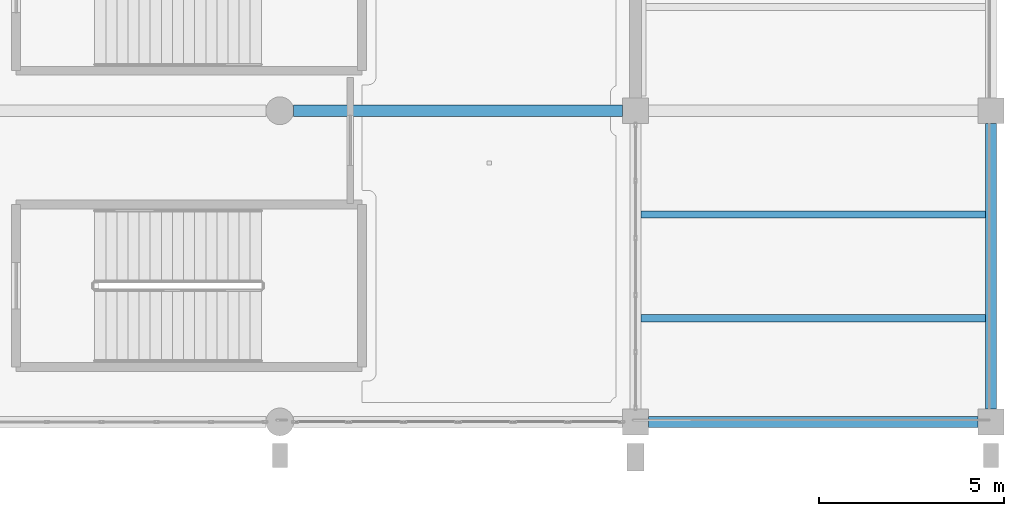
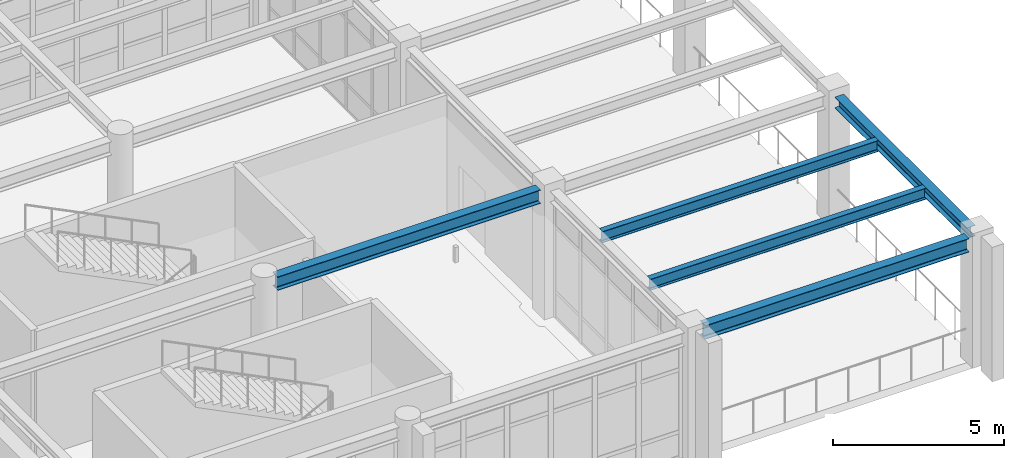
# One storey, part 58 of 98: 5 beams.
"""IFC4 building model written with IfcOpenShell, lengths in metres."""

from ifc_helpers import new_model, si_unit, direction, frame, origin, origin_2d, place, context, subcontext, project, spatial, i_section, extrude, material, material_profile, profile_set, type_object, element, save


model = new_model("IFC4")

# Units and contexts
model_context = context("Model", 3, precision=1e-05, world=origin(), true_north=direction((0.0, 1.0)))
body_context = subcontext(model_context, "Body", "Model", "MODEL_VIEW")
ifc_project = project(units=[si_unit("LENGTHUNIT", "METRE"), si_unit("AREAUNIT", "SQUARE_METRE"), si_unit("VOLUMEUNIT", "CUBIC_METRE"), si_unit("PLANEANGLEUNIT", "RADIAN"), si_unit("MASSUNIT", "GRAM", prefix="KILO")], contexts=[model_context])

# Site, building, storey
site_placement = place(None, origin())
site = spatial("IfcSite", under=ifc_project, at=site_placement, CompositionType="ELEMENT")
building_placement = place(site_placement, origin())
building = spatial("IfcBuilding", under=site, at=building_placement, Name="Canglan Escarpment Cableway Terminal", CompositionType="ELEMENT")
storey_placement = place(building_placement, frame((0.0, 0.0, 9.60009765625)))
storey = spatial("IfcBuildingStorey", under=building, at=storey_placement, Name="L02", CompositionType="ELEMENT", Elevation=9.60009765625)

# Beams
ifc_material = material(Name="Steel Q355B", Category="steel")
ifc_material_profile_1 = material_profile(ifc_material, i_section(OverallWidth=0.300048828125, OverallDepth=0.389892578125, WebThickness=0.010009765625, FlangeThickness=0.01611328125, FilletRadius=0.02197265625, at=origin_2d()), Name="HM 390x300x10x16")
ifc_profile_set_1 = profile_set([ifc_material_profile_1], Name="Steel Q355B")
beam_type_1 = type_object("IfcBeamType", Name="BM-ARCH-TOP-HM390", PredefinedType="BEAM", material=ifc_profile_set_1)
beam_1_placement = place(storey_placement, frame((176.0, 8.35009765625, 4.324951171875), z_axis=(0.0, 1.0, 0.0), x_axis=(-1.0, 0.0, 0.0)))
element("IfcBeam", 1, at=beam_1_placement, inside=storey, type_object=beam_type_1, Name="Primary transverse girder AR-TC1", PredefinedType="BEAM", context=body_context, shape_type="SweptSolid", body=[
    extrude(i_section(OverallWidth=0.300048828125, OverallDepth=0.389892578125, WebThickness=0.010009765625, FlangeThickness=0.01611328125, FilletRadius=0.02197265625, at=origin_2d()), origin(), (0.0, 0.0, 1.0), 7.699951171875),
])
ifc_material_profile_2 = material_profile(ifc_material, i_section(OverallWidth=0.300048828125, OverallDepth=0.488037109375, WebThickness=0.010986328125, FlangeThickness=0.01806640625, FilletRadius=0.02587890625, at=origin_2d()), Name="HM 488x300x11x18")
ifc_profile_set_2 = profile_set([ifc_material_profile_2], Name="Steel Q355B")
beam_type_2 = type_object("IfcBeamType", Name="BM-HM488", PredefinedType="BEAM", material=ifc_profile_set_2)
beam_2_placement = place(storey_placement, frame((166.75, 8.0, 4.27587890625), z_axis=(1.0, 0.0, 0.0), x_axis=(0.0, 1.0, 0.0)))
element("IfcBeam", 2, at=beam_2_placement, inside=storey, type_object=beam_type_2, Name="Primary structural girder B-09", PredefinedType="BEAM", context=body_context, shape_type="SweptSolid", body=[
    extrude(i_section(OverallWidth=0.300048828125, OverallDepth=0.488037109375, WebThickness=0.010986328125, FlangeThickness=0.01806640625, FilletRadius=0.02587890625, at=origin_2d()), origin(), (0.0, 0.0, 1.0), 8.89990234375),
])
beam_3_placement = place(storey_placement, frame((157.175048828125, 16.39990234375, 4.27587890625), z_axis=(1.0, 0.0, 0.0), x_axis=(0.0, 1.0, 0.0)))
element("IfcBeam", 3, at=beam_3_placement, inside=storey, type_object=beam_type_2, Name="Primary structural girder B-09", PredefinedType="BEAM", context=body_context, shape_type="SweptSolid", body=[
    extrude(i_section(OverallWidth=0.300048828125, OverallDepth=0.488037109375, WebThickness=0.010986328125, FlangeThickness=0.01806640625, FilletRadius=0.02587890625, at=origin_2d()), origin(), (0.0, 0.0, 1.0), 8.875),
])
ifc_material_profile_3 = material_profile(ifc_material, i_section(OverallWidth=0.199951171875, OverallDepth=0.39990234375, WebThickness=0.008056640625, FlangeThickness=0.012939453125, FilletRadius=0.01611328125, at=origin_2d()), Name="HN 400x200x8x13")
ifc_profile_set_3 = profile_set([ifc_material_profile_3], Name="Steel Q355B")
beam_type_3 = type_object("IfcBeamType", Name="JS-HN400", PredefinedType="JOIST", material=ifc_profile_set_3)
for number, where, z_axis, x_axis, name in (
    (4, (166.550048828125, 10.800048828125, 4.31982421875), (1.0, 0.0, 0.0), (0.0, 1.0, 0.0), "Secondary composite deck joist J-03"),
    (5, (166.550048828125, 13.60009765625, 4.31982421875), (1.0, 0.0, 0.0), (0.0, 1.0, 0.0), "Secondary composite deck joist J-03"),
):
    element("IfcBeam", number, at=place(storey_placement, frame(where, z_axis=z_axis, x_axis=x_axis)), inside=storey, type_object=beam_type_3, Name=name, PredefinedType="JOIST", context=body_context, shape_type="SweptSolid", body=[
        extrude(i_section(OverallWidth=0.199951171875, OverallDepth=0.39990234375, WebThickness=0.008056640625, FlangeThickness=0.012939453125, FilletRadius=0.01611328125, at=origin_2d()), origin(), (0.0, 0.0, 1.0), 9.300048828125),
    ])

save(model, "model.ifc")
